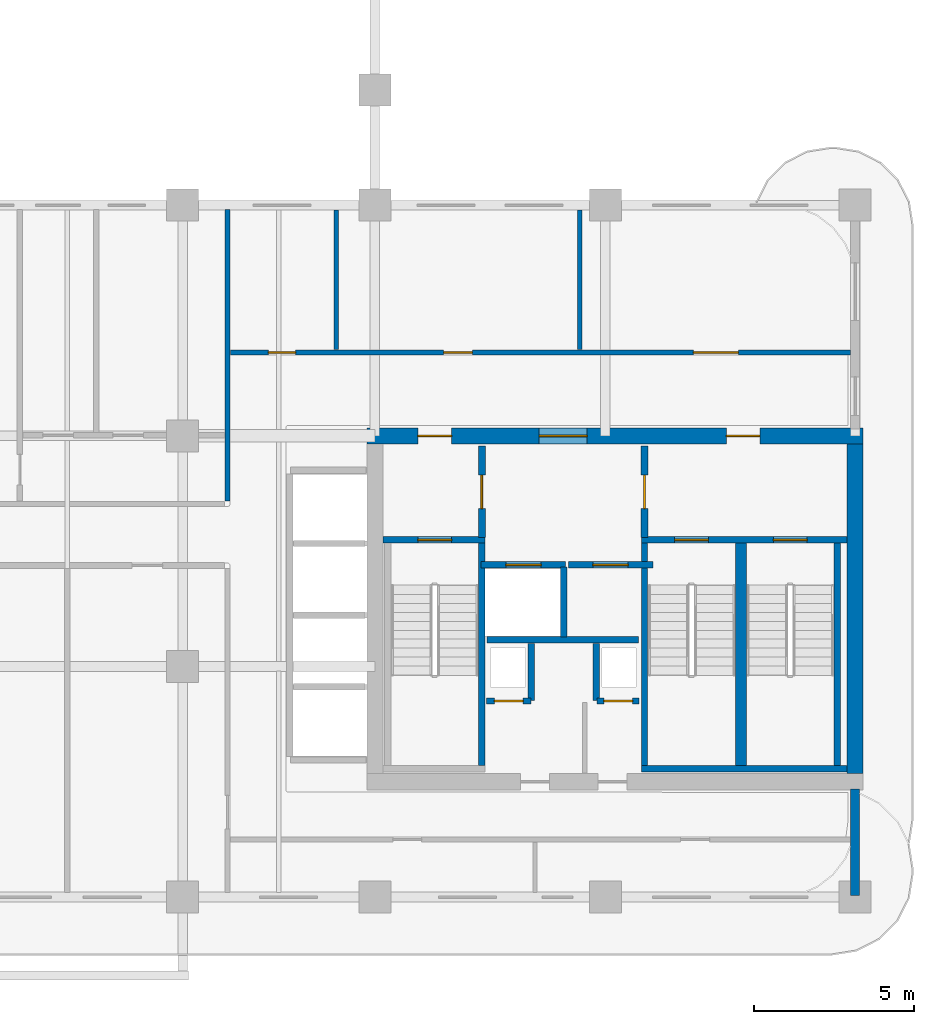
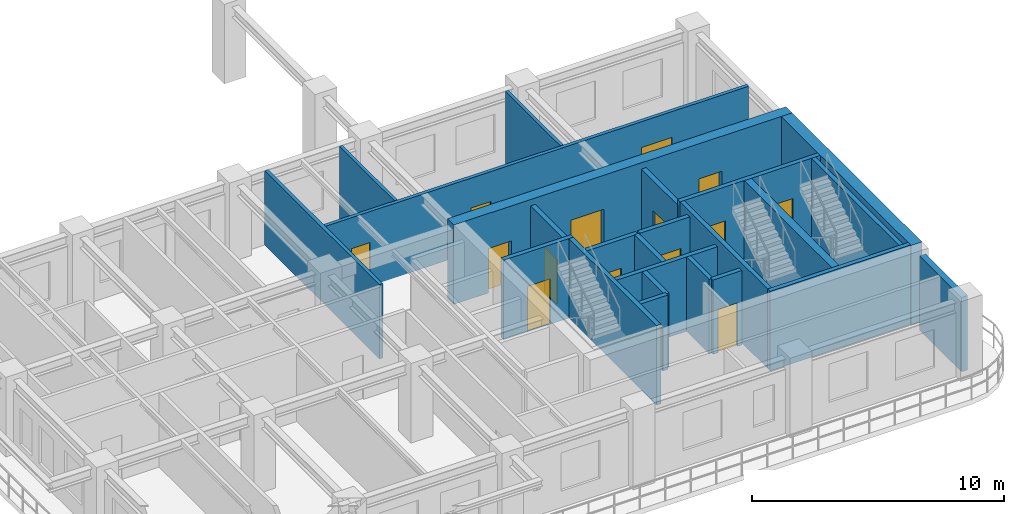
# One storey, part 6 of 13: 24 walls, 15 doors, 15 openings.
"""IFC4 building model written with IfcOpenShell, lengths in metres."""

from ifc_helpers import new_model, si_unit, derived_unit, direction, frame, frame_2d, origin, place, context, subcontext, project, spatial, rectangle, extrude, source, transform, mapped, material, layer, layer_set, type_object, type_shapes, element, fill, save


model = new_model("IFC4")

# Units and contexts
model_context = context("Model", 3, precision=1e-05, world=origin(), true_north=direction((0.0, 1.0)))
body_context = subcontext(model_context, "Body", "Model", "MODEL_VIEW")
ifc_project = project(units=[si_unit("LENGTHUNIT", "METRE"), si_unit("AREAUNIT", "SQUARE_METRE"), si_unit("VOLUMEUNIT", "CUBIC_METRE"), si_unit("PLANEANGLEUNIT", "RADIAN"), si_unit("MASSUNIT", "GRAM", prefix="KILO"), si_unit("THERMODYNAMICTEMPERATUREUNIT", "KELVIN"), si_unit("POWERUNIT", "WATT"), derived_unit("THERMALTRANSMITTANCEUNIT", [(si_unit("POWERUNIT", "WATT"), 1), (si_unit("AREAUNIT", "SQUARE_METRE"), -1), (si_unit("THERMODYNAMICTEMPERATUREUNIT", "KELVIN"), -1)])], contexts=[model_context])

# Site, building, storey
site_placement = place(None, origin())
site = spatial("IfcSite", under=ifc_project, at=site_placement, CompositionType="ELEMENT")
building_placement = place(site_placement, origin())
building = spatial("IfcBuilding", under=site, at=building_placement, Name="Zahravan Archway Hotel and Residences", CompositionType="ELEMENT")
storey_placement = place(building_placement, frame((0.0, 0.0, 181.10009765625)))
storey = spatial("IfcBuildingStorey", under=building, at=storey_placement, Name="L45", CompositionType="ELEMENT", Elevation=181.10009765625)

# Wall, openings, doors
ifc_material_1 = material(Name="Concrete C60/75", Category="concrete")
ifc_layer_1 = layer(ifc_material_1, 0.5, Name="Concrete C60/75", Category="concrete")
ifc_layer_set_1 = layer_set([ifc_layer_1], Name="Concrete C60/75")
wall_type_1 = type_object("IfcWallType", Name="CW-CORE-500", PredefinedType="SHEAR", material=ifc_layer_set_1)
wall_1_placement = place(storey_placement, frame((34.550048828125, 14.39990234375, 0.0), z_axis=(0.0, 0.0, 1.0), x_axis=(1.0, 0.0, 0.0)))
wall_1 = element("IfcWall", 1, at=wall_1_placement, inside=storey, type_object=wall_type_1, Name="L45 Core A Shear N Wall 500 mm", PredefinedType="SHEAR", context=body_context, shape_type="SweptSolid", body=[
    extrude(rectangle(XDim=15.5, YDim=0.5, at=frame_2d((7.75, 0.0))), origin(), (0.0, 0.0, 1.0), 3.849853515625),
])
opening_1_placement = place(wall_1_placement, frame((5.3798828125, 0.0, 0.0)))
opening_1 = element("IfcOpeningElement", 2, at=opening_1_placement, cuts=wall_1, Name="Opening FD-L1", PredefinedType="OPENING", context=body_context, shape_type="SweptSolid", body=[
    extrude(rectangle(XDim=1.5, YDim=2.199951171875, at=frame_2d((0.75, 1.10009765625))), frame((0.0, 0.260009765625, 0.0), z_axis=(0.0, -1.0, 0.0), x_axis=(1.0, 0.0, 0.0)), (0.0, 0.0, 1.0), 0.52001953125),
])
opening_2_placement = place(wall_1_placement, frame((1.594970703125, 0.0, 0.0)))
opening_2 = element("IfcOpeningElement", 3, at=opening_2_placement, cuts=wall_1, Name="Opening FD-L2", PredefinedType="OPENING", context=body_context, shape_type="SweptSolid", body=[
    extrude(rectangle(XDim=1.050048828125, YDim=2.14990234375, at=frame_2d((0.52490234375, 1.074951171875))), frame((0.0, 0.260009765625, 0.0), z_axis=(0.0, -1.0, 0.0), x_axis=(1.0, 0.0, 0.0)), (0.0, 0.0, 1.0), 0.52001953125),
])
opening_3_placement = place(wall_1_placement, frame((11.22509765625, 0.0, 0.0)))
opening_3 = element("IfcOpeningElement", 4, at=opening_3_placement, cuts=wall_1, Name="Opening FD-L2", PredefinedType="OPENING", context=body_context, shape_type="SweptSolid", body=[
    extrude(rectangle(XDim=1.050048828125, YDim=2.14990234375, at=frame_2d((0.52490234375, 1.074951171875))), frame((0.0, 0.260009765625, 0.0), z_axis=(0.0, -1.0, 0.0), x_axis=(1.0, 0.0, 0.0)), (0.0, 0.0, 1.0), 0.52001953125),
])
ifc_material_2 = material(Name="Fire-Rated Painted Steel", Category="steel")
door_type_1 = type_object("IfcDoorType", Name="FD-LOBBY-1100", OperationType="NOTDEFINED", PredefinedType="DOOR", material=ifc_material_2)
shared_shape_1 = source(origin(), body_context, "Body", "SweptSolid", [
    extrude(rectangle(XDim=1.050048828125, YDim=2.14990234375, at=frame_2d((0.52490234375, 1.074951171875))), frame((0.0, 0.02490234375, 0.0), z_axis=(0.0, -1.0, 0.0), x_axis=(1.0, 0.0, 0.0)), (0.0, 0.0, 1.0), 0.050048828125),
])
type_shapes(door_type_1, [shared_shape_1])
door_1_placement = place(opening_2_placement, origin())
door_1 = element("IfcDoor", 5, at=door_1_placement, inside=storey, type_object=door_type_1, Name="L45 Core A West Stair Lobby Door", OperationType="SINGLE_SWING_RIGHT", OverallHeight=2.14990234375, OverallWidth=1.050048828125, PredefinedType="DOOR", context=body_context, shape_type="MappedRepresentation", body=[
    mapped(shared_shape_1, transform((0.0, 0.0, 0.0), scale=1.0)),
])
fill(opening_2, door_1)
door_2_placement = place(opening_3_placement, origin())
door_2 = element("IfcDoor", 6, at=door_2_placement, inside=storey, type_object=door_type_1, Name="L45 Core A East Stair Lobby Door", OperationType="SINGLE_SWING_LEFT", OverallHeight=2.14990234375, OverallWidth=1.050048828125, PredefinedType="DOOR", context=body_context, shape_type="MappedRepresentation", body=[
    mapped(shared_shape_1, transform((0.0, 0.0, 0.0), scale=1.0)),
])
fill(opening_3, door_2)
door_type_2 = type_object("IfcDoorType", Name="FD-LOBBY-1500", OperationType="DOUBLE_DOOR_SINGLE_SWING", PredefinedType="DOOR", material=ifc_material_2)
shared_shape_2 = source(origin(), body_context, "Body", "SweptSolid", [
    extrude(rectangle(XDim=1.5, YDim=2.199951171875, at=frame_2d((0.75, 1.10009765625))), frame((0.0, 0.02490234375, 0.0), z_axis=(0.0, -1.0, 0.0), x_axis=(1.0, 0.0, 0.0)), (0.0, 0.0, 1.0), 0.050048828125),
])
type_shapes(door_type_2, [shared_shape_2])
door_3_placement = place(opening_1_placement, origin())
door_3 = element("IfcDoor", 7, at=door_3_placement, inside=storey, type_object=door_type_2, Name="L45 Core A FSAE Lobby Main Door", OperationType="DOUBLE_DOOR_SINGLE_SWING", OverallHeight=2.199951171875, OverallWidth=1.5, PredefinedType="DOOR", context=body_context, shape_type="MappedRepresentation", body=[
    mapped(shared_shape_2, transform((0.0, 0.0, 0.0), scale=1.0)),
])
fill(opening_1, door_3)

# Walls
wall_2_placement = place(storey_placement, frame((49.800048828125, 3.85009765625, 0.0), z_axis=(0.0, 0.0, 1.0), x_axis=(0.0, 1.0, 0.0)))
element("IfcWall", 8, at=wall_2_placement, inside=storey, type_object=wall_type_1, Name="L45 Core A Shear E Wall 500 mm", PredefinedType="SHEAR", context=body_context, shape_type="SweptSolid", body=[
    extrude(rectangle(XDim=10.2998046875, YDim=0.5, at=frame_2d((5.14990234375, 0.0))), origin(), (0.0, 0.0, 1.0), 3.849853515625),
])
ifc_material_3 = material(Name="Honed Red-Ochre Sandstone & Insulated Block", Category="masonry")
ifc_layer_2 = layer(ifc_material_3, 0.280029296875, Name="Honed Red-Ochre Sandstone & Insulated Block", Category="masonry")
ifc_layer_set_2 = layer_set([ifc_layer_2], Name="Honed Red-Ochre Sandstone & Insulated Block")
wall_type_2 = type_object("IfcWallType", Name="EW-LOG-280", PredefinedType="SOLIDWALL", material=ifc_layer_set_2)
wall_3_placement = place(storey_placement, frame((49.800048828125, 0.050048828125, 0.0), z_axis=(0.0, 0.0, 1.0), x_axis=(0.0, 1.0, 0.0)))
element("IfcWall", 9, at=wall_3_placement, inside=storey, type_object=wall_type_2, Name="L45 Exterior Sandstone Wall WA-ES", PredefinedType="SOLIDWALL", context=body_context, shape_type="SweptSolid", body=[
    extrude(rectangle(XDim=3.329833984375, YDim=0.280029296875, at=frame_2d((1.6650390625, 0.0))), origin(), (0.0, 0.0, 1.0), 3.599853515625),
])

# Wall, opening, door
ifc_material_4 = material(Name="Fire-Rated Gypsum & Concrete Block", Category="concrete")
ifc_layer_3 = layer(ifc_material_4, 0.219970703125, Name="Fire-Rated Gypsum & Concrete Block", Category="concrete")
ifc_layer_set_3 = layer_set([ifc_layer_3], Name="Fire-Rated Gypsum & Concrete Block")
wall_type_3 = type_object("IfcWallType", Name="PW-COMP-220", PredefinedType="PARTITIONING", material=ifc_layer_set_3)
wall_4_placement = place(storey_placement, frame((38.139892578125, 11.219970703125, 0.0), z_axis=(0.0, 0.0, 1.0), x_axis=(0.0, 1.0, 0.0)))
wall_4 = element("IfcWall", 10, at=wall_4_placement, inside=storey, type_object=wall_type_3, Name="L45 Partition CA-LOBW", PredefinedType="PARTITIONING", context=body_context, shape_type="SweptSolid", body=[
    extrude(rectangle(XDim=2.860107421875, YDim=0.219970703125, at=frame_2d((1.43017578125, 0.0))), origin(), (0.0, 0.0, 1.0), 3.599853515625),
])
opening_4_placement = place(wall_4_placement, frame((0.905029296875, 0.0, 0.0)))
opening_4 = element("IfcOpeningElement", 11, at=opening_4_placement, cuts=wall_4, Name="Opening FD-L2", PredefinedType="OPENING", context=body_context, shape_type="SweptSolid", body=[
    extrude(rectangle(XDim=1.050048828125, YDim=2.14990234375, at=frame_2d((0.52490234375, 1.074951171875))), frame((0.0, 0.1201171875, 0.0), z_axis=(0.0, -1.0, 0.0), x_axis=(1.0, 0.0, 0.0)), (0.0, 0.0, 1.0), 0.239990234375),
])
door_4_placement = place(opening_4_placement, origin())
door_4 = element("IfcDoor", 12, at=door_4_placement, inside=storey, type_object=door_type_1, Name="L45 Core A West Stair to FSAE Lobby Door", OperationType="SINGLE_SWING_RIGHT", OverallHeight=2.14990234375, OverallWidth=1.050048828125, PredefinedType="DOOR", context=body_context, shape_type="MappedRepresentation", body=[
    mapped(shared_shape_1, transform((0.0, 0.0, 0.0), scale=1.0)),
])
fill(opening_4, door_4)

wall_5_placement = place(storey_placement, frame((43.219970703125, 11.219970703125, 0.0), z_axis=(0.0, 0.0, 1.0), x_axis=(0.0, 1.0, 0.0)))
wall_5 = element("IfcWall", 13, at=wall_5_placement, inside=storey, type_object=wall_type_3, Name="L45 Partition CA-LOBE", PredefinedType="PARTITIONING", context=body_context, shape_type="SweptSolid", body=[
    extrude(rectangle(XDim=2.860107421875, YDim=0.219970703125, at=frame_2d((1.43017578125, 0.0))), origin(), (0.0, 0.0, 1.0), 3.599853515625),
])
opening_5_placement = place(wall_5_placement, frame((0.905029296875, 0.0, 0.0)))
opening_5 = element("IfcOpeningElement", 14, at=opening_5_placement, cuts=wall_5, Name="Opening FD-L2", PredefinedType="OPENING", context=body_context, shape_type="SweptSolid", body=[
    extrude(rectangle(XDim=1.050048828125, YDim=2.14990234375, at=frame_2d((0.52490234375, 1.074951171875))), frame((0.0, 0.1201171875, 0.0), z_axis=(0.0, -1.0, 0.0), x_axis=(1.0, 0.0, 0.0)), (0.0, 0.0, 1.0), 0.239990234375),
])
door_5_placement = place(opening_5_placement, origin())
door_5 = element("IfcDoor", 15, at=door_5_placement, inside=storey, type_object=door_type_1, Name="L45 Core A East Stair to FSAE Lobby Door", OperationType="SINGLE_SWING_LEFT", OverallHeight=2.14990234375, OverallWidth=1.050048828125, PredefinedType="DOOR", context=body_context, shape_type="MappedRepresentation", body=[
    mapped(shared_shape_1, transform((0.0, 0.0, 0.0), scale=1.0)),
])
fill(opening_5, door_5)

# Wall
ifc_layer_4 = layer(ifc_material_4, 0.159912109375, Name="Fire-Rated Gypsum & Concrete Block", Category="concrete")
ifc_layer_set_4 = layer_set([ifc_layer_4], Name="Fire-Rated Gypsum & Concrete Block")
wall_type_4 = type_object("IfcWallType", Name="PW-CORR-160", PredefinedType="PARTITIONING", material=ifc_layer_set_4)
wall_6_placement = place(storey_placement, frame((30.199951171875, 12.360107421875, 0.0), z_axis=(0.0, 0.0, 1.0), x_axis=(0.0, 1.0, 0.0)))
element("IfcWall", 16, at=wall_6_placement, inside=storey, type_object=wall_type_4, Name="L45 Partition WA-FW", PredefinedType="PARTITIONING", context=body_context, shape_type="SweptSolid", body=[
    extrude(rectangle(XDim=9.099853515625, YDim=0.159912109375, at=frame_2d((4.5498046875, 0.0))), origin(), (0.0, 0.0, 1.0), 3.599853515625),
])

# Wall, openings, doors
wall_7_placement = place(storey_placement, frame((30.2900390625, 17.0, 0.0), z_axis=(0.0, 0.0, 1.0), x_axis=(1.0, 0.0, 0.0)))
wall_7 = element("IfcWall", 17, at=wall_7_placement, inside=storey, type_object=wall_type_4, Name="L45 Partition WA-FN", PredefinedType="PARTITIONING", context=body_context, shape_type="SweptSolid", body=[
    extrude(rectangle(XDim=19.369873046875, YDim=0.159912109375, at=frame_2d((9.68505859375, 0.0))), origin(), (0.0, 0.0, 1.0), 3.599853515625),
])
opening_6_placement = place(wall_7_placement, frame((1.18505859375, 0.0, 0.0)))
opening_6 = element("IfcOpeningElement", 18, at=opening_6_placement, cuts=wall_7, Name="Opening D-B1", PredefinedType="OPENING", context=body_context, shape_type="SweptSolid", body=[
    extrude(rectangle(XDim=0.85009765625, YDim=2.10009765625, at=frame_2d((0.425048828125, 1.050048828125))), frame((0.0, 0.08984375, 0.0), z_axis=(0.0, -1.0, 0.0), x_axis=(1.0, 0.0, 0.0)), (0.0, 0.0, 1.0), 0.179931640625),
])
opening_7_placement = place(wall_7_placement, frame((6.659912109375, 0.0, 0.0)))
opening_7 = element("IfcOpeningElement", 19, at=opening_7_placement, cuts=wall_7, Name="Opening D-I2", PredefinedType="OPENING", context=body_context, shape_type="SweptSolid", body=[
    extrude(rectangle(XDim=0.89990234375, YDim=2.14990234375, at=frame_2d((0.449951171875, 1.074951171875))), frame((0.0, 0.08984375, 0.0), z_axis=(0.0, -1.0, 0.0), x_axis=(1.0, 0.0, 0.0)), (0.0, 0.0, 1.0), 0.179931640625),
])
opening_8_placement = place(wall_7_placement, frame((14.4599609375, 0.0, 0.0)))
opening_8 = element("IfcOpeningElement", 20, at=opening_8_placement, cuts=wall_7, Name="Opening D-P1", PredefinedType="OPENING", context=body_context, shape_type="SweptSolid", body=[
    extrude(rectangle(XDim=1.39990234375, YDim=2.35009765625, at=frame_2d((0.699951171875, 1.175048828125))), frame((0.0, 0.08984375, 0.0), z_axis=(0.0, -1.0, 0.0), x_axis=(1.0, 0.0, 0.0)), (0.0, 0.0, 1.0), 0.179931640625),
])
ifc_material_5 = material(Name="Hardwood Veneer Timber", Category="wood")
door_type_3 = type_object("IfcDoorType", Name="ID-BATH-850", OperationType="NOTDEFINED", PredefinedType="DOOR", material=ifc_material_5)
shared_shape_3 = source(origin(), body_context, "Body", "SweptSolid", [
    extrude(rectangle(XDim=0.85009765625, YDim=2.10009765625, at=frame_2d((0.425048828125, 1.050048828125))), frame((0.0, 0.02490234375, 0.0), z_axis=(0.0, -1.0, 0.0), x_axis=(1.0, 0.0, 0.0)), (0.0, 0.0, 1.0), 0.050048828125),
])
type_shapes(door_type_3, [shared_shape_3])
door_6_placement = place(opening_6_placement, origin())
door_6 = element("IfcDoor", 21, at=door_6_placement, inside=storey, type_object=door_type_3, Name="L45 Accessible Floor Restroom Door", OperationType="SINGLE_SWING_RIGHT", OverallHeight=2.10009765625, OverallWidth=0.85009765625, PredefinedType="DOOR", context=body_context, shape_type="MappedRepresentation", body=[
    mapped(shared_shape_3, transform((0.0, 0.0, 0.0), scale=1.0)),
])
fill(opening_6, door_6)
ifc_material_6 = material(Name="Bronze-Anodized Glazed Aluminium", Category="aluminium")
door_type_4 = type_object("IfcDoorType", Name="ID-PUBLIC-1400", OperationType="DOUBLE_DOOR_SINGLE_SWING", PredefinedType="DOOR", material=ifc_material_6)
shared_shape_4 = source(origin(), body_context, "Body", "SweptSolid", [
    extrude(rectangle(XDim=1.39990234375, YDim=2.35009765625, at=frame_2d((0.699951171875, 1.175048828125))), frame((0.0, 0.02490234375, 0.0), z_axis=(0.0, -1.0, 0.0), x_axis=(1.0, 0.0, 0.0)), (0.0, 0.0, 1.0), 0.050048828125),
])
type_shapes(door_type_4, [shared_shape_4])
door_7_placement = place(opening_8_placement, origin())
door_7 = element("IfcDoor", 22, at=door_7_placement, inside=storey, type_object=door_type_4, Name="L45 Co-Working Room Door", OperationType="DOUBLE_DOOR_SINGLE_SWING", OverallHeight=2.35009765625, OverallWidth=1.39990234375, PredefinedType="DOOR", context=body_context, shape_type="MappedRepresentation", body=[
    mapped(shared_shape_4, transform((0.0, 0.0, 0.0), scale=1.0)),
])
fill(opening_8, door_7)
door_type_5 = type_object("IfcDoorType", Name="ID-INT-900", OperationType="NOTDEFINED", PredefinedType="DOOR", material=ifc_material_5)
shared_shape_5 = source(origin(), body_context, "Body", "SweptSolid", [
    extrude(rectangle(XDim=0.89990234375, YDim=2.14990234375, at=frame_2d((0.449951171875, 1.074951171875))), frame((0.0, 0.02490234375, 0.0), z_axis=(0.0, -1.0, 0.0), x_axis=(1.0, 0.0, 0.0)), (0.0, 0.0, 1.0), 0.050048828125),
])
type_shapes(door_type_5, [shared_shape_5])
door_8_placement = place(opening_7_placement, origin())
door_8 = element("IfcDoor", 23, at=door_8_placement, inside=storey, type_object=door_type_5, Name="L45 Tea Servery Door", OperationType="SINGLE_SWING_LEFT", OverallHeight=2.14990234375, OverallWidth=0.89990234375, PredefinedType="DOOR", context=body_context, shape_type="MappedRepresentation", body=[
    mapped(shared_shape_5, transform((0.0, 0.0, 0.0), scale=1.0)),
])
fill(opening_7, door_8)

# Walls
ifc_layer_5 = layer(ifc_material_4, 0.199951171875, Name="Fire-Rated Gypsum & Concrete Block", Category="concrete")
ifc_layer_set_5 = layer_set([ifc_layer_5], Name="Fire-Rated Gypsum & Concrete Block")
wall_type_5 = type_object("IfcWallType", Name="PW-SHAFT-200", PredefinedType="PARTITIONING", material=ifc_layer_set_5)
wall_8_placement = place(storey_placement, frame((38.300048828125, 8.030029296875, 0.0), z_axis=(0.0, 0.0, 1.0), x_axis=(1.0, 0.0, 0.0)))
element("IfcWall", 24, at=wall_8_placement, inside=storey, type_object=wall_type_5, Name="L45 Partition CA-FLS", PredefinedType="PARTITIONING", context=body_context, shape_type="SweptSolid", body=[
    extrude(rectangle(XDim=4.739990234375, YDim=0.199951171875, at=frame_2d((2.3701171875, 0.0))), origin(), (0.0, 0.0, 1.0), 3.599853515625),
])
wall_9_placement = place(storey_placement, frame((40.699951171875, 8.1201171875, 0.0), z_axis=(0.0, 0.0, 1.0), x_axis=(0.0, 1.0, 0.0)))
element("IfcWall", 25, at=wall_9_placement, inside=storey, type_object=wall_type_5, Name="L45 Partition CA-FLM", PredefinedType="PARTITIONING", context=body_context, shape_type="SweptSolid", body=[
    extrude(rectangle(XDim=2.179931640625, YDim=0.199951171875, at=frame_2d((1.08984375, 0.0))), origin(), (0.0, 0.0, 1.0), 3.599853515625),
])

# Wall, opening, door
wall_10_placement = place(storey_placement, frame((38.2900390625, 6.1201171875, 0.0), z_axis=(0.0, 0.0, 1.0), x_axis=(1.0, 0.0, 0.0)))
wall_10 = element("IfcWall", 26, at=wall_10_placement, inside=storey, type_object=wall_type_5, Name="L45 Partition CA-SMKS", PredefinedType="PARTITIONING", context=body_context, shape_type="SweptSolid", body=[
    extrude(rectangle(XDim=1.3798828125, YDim=0.199951171875, at=frame_2d((0.68994140625, 0.0))), origin(), (0.0, 0.0, 1.0), 3.599853515625),
])
opening_9_placement = place(wall_10_placement, frame((0.239990234375, 0.0, 0.0)))
opening_9 = element("IfcOpeningElement", 27, at=opening_9_placement, cuts=wall_10, Name="Opening FD-R1", PredefinedType="OPENING", context=body_context, shape_type="SweptSolid", body=[
    extrude(rectangle(XDim=0.89990234375, YDim=2.10009765625, at=frame_2d((0.449951171875, 1.050048828125))), frame((0.0, 0.10986328125, 0.0), z_axis=(0.0, -1.0, 0.0), x_axis=(1.0, 0.0, 0.0)), (0.0, 0.0, 1.0), 0.219970703125),
])
door_type_6 = type_object("IfcDoorType", Name="FD-RISER-900", OperationType="NOTDEFINED", PredefinedType="DOOR", material=ifc_material_2)
shared_shape_6 = source(origin(), body_context, "Body", "SweptSolid", [
    extrude(rectangle(XDim=0.89990234375, YDim=2.10009765625, at=frame_2d((0.449951171875, 1.050048828125))), frame((0.0, 0.02490234375, 0.0), z_axis=(0.0, -1.0, 0.0), x_axis=(1.0, 0.0, 0.0)), (0.0, 0.0, 1.0), 0.050048828125),
])
type_shapes(door_type_6, [shared_shape_6])
door_9_placement = place(opening_9_placement, origin())
door_9 = element("IfcDoor", 28, at=door_9_placement, inside=storey, type_object=door_type_6, Name="L45 Smoke Riser Access Door", OperationType="SINGLE_SWING_RIGHT", OverallHeight=2.10009765625, OverallWidth=0.89990234375, PredefinedType="DOOR", context=body_context, shape_type="MappedRepresentation", body=[
    mapped(shared_shape_6, transform((0.0, 0.0, 0.0), scale=1.0)),
])
fill(opening_9, door_9)

# Wall
wall_11_placement = place(storey_placement, frame((39.679931640625, 6.1298828125, 0.0), z_axis=(0.0, 0.0, 1.0), x_axis=(0.0, 1.0, 0.0)))
element("IfcWall", 29, at=wall_11_placement, inside=storey, type_object=wall_type_5, Name="L45 Partition CA-SMKE", PredefinedType="PARTITIONING", context=body_context, shape_type="SweptSolid", body=[
    extrude(rectangle(XDim=1.7900390625, YDim=0.199951171875, at=frame_2d((0.89501953125, 0.0))), origin(), (0.0, 0.0, 1.0), 3.599853515625),
])

# Wall, opening, door
wall_12_placement = place(storey_placement, frame((41.72998046875, 6.1201171875, 0.0), z_axis=(0.0, 0.0, 1.0), x_axis=(1.0, 0.0, 0.0)))
wall_12 = element("IfcWall", 30, at=wall_12_placement, inside=storey, type_object=wall_type_5, Name="L45 Partition CA-MEPS", PredefinedType="PARTITIONING", context=body_context, shape_type="SweptSolid", body=[
    extrude(rectangle(XDim=1.320068359375, YDim=0.199951171875, at=frame_2d((0.66015625, 0.0))), origin(), (0.0, 0.0, 1.0), 3.599853515625),
])
opening_10_placement = place(wall_12_placement, frame((0.219970703125, 0.0, 0.0)))
opening_10 = element("IfcOpeningElement", 31, at=opening_10_placement, cuts=wall_12, Name="Opening FD-R1", PredefinedType="OPENING", context=body_context, shape_type="SweptSolid", body=[
    extrude(rectangle(XDim=0.89990234375, YDim=2.10009765625, at=frame_2d((0.449951171875, 1.050048828125))), frame((0.0, 0.10986328125, 0.0), z_axis=(0.0, -1.0, 0.0), x_axis=(1.0, 0.0, 0.0)), (0.0, 0.0, 1.0), 0.219970703125),
])
door_10_placement = place(opening_10_placement, origin())
door_10 = element("IfcDoor", 32, at=door_10_placement, inside=storey, type_object=door_type_6, Name="L45 MEP Riser Access Door", OperationType="SINGLE_SWING_LEFT", OverallHeight=2.10009765625, OverallWidth=0.89990234375, PredefinedType="DOOR", context=body_context, shape_type="MappedRepresentation", body=[
    mapped(shared_shape_6, transform((0.0, 0.0, 0.0), scale=1.0)),
])
fill(opening_10, door_10)

# Wall
wall_13_placement = place(storey_placement, frame((41.719970703125, 6.1298828125, 0.0), z_axis=(0.0, 0.0, 1.0), x_axis=(0.0, 1.0, 0.0)))
element("IfcWall", 33, at=wall_13_placement, inside=storey, type_object=wall_type_5, Name="L45 Partition CA-MEPW", PredefinedType="PARTITIONING", context=body_context, shape_type="SweptSolid", body=[
    extrude(rectangle(XDim=1.7900390625, YDim=0.199951171875, at=frame_2d((0.89501953125, 0.0))), origin(), (0.0, 0.0, 1.0), 3.599853515625),
])

# Wall, opening, door
wall_14_placement = place(storey_placement, frame((38.1201171875, 10.3701171875, 0.0), z_axis=(0.0, 0.0, 1.0), x_axis=(1.0, 0.0, 0.0)))
wall_14 = element("IfcWall", 34, at=wall_14_placement, inside=storey, type_object=wall_type_5, Name="L45 Lift FL-1 Front Wall", PredefinedType="PARTITIONING", context=body_context, shape_type="SweptSolid", body=[
    extrude(rectangle(XDim=2.639892578125, YDim=0.199951171875, at=frame_2d((1.31982421875, 0.0))), origin(), (0.0, 0.0, 1.0), 3.599853515625),
])
opening_11_placement = place(wall_14_placement, frame((0.77001953125, 0.0, 0.0)))
opening_11 = element("IfcOpeningElement", 35, at=opening_11_placement, cuts=wall_14, Name="Opening LD", PredefinedType="OPENING", context=body_context, shape_type="SweptSolid", body=[
    extrude(rectangle(XDim=1.10009765625, YDim=2.199951171875, at=frame_2d((0.550048828125, 1.10009765625))), frame((0.0, 0.10986328125, 0.0), z_axis=(0.0, -1.0, 0.0), x_axis=(1.0, 0.0, 0.0)), (0.0, 0.0, 1.0), 0.219970703125),
])
ifc_material_7 = material(Name="Brushed Stainless Steel", Category="steel")
door_type_7 = type_object("IfcDoorType", Name="DR-LIFT-LD", OperationType="SLIDING_TO_LEFT", PredefinedType="DOOR", material=ifc_material_7)
shared_shape_7 = source(origin(), body_context, "Body", "SweptSolid", [
    extrude(rectangle(XDim=1.10009765625, YDim=2.199951171875, at=frame_2d((0.550048828125, 1.10009765625))), frame((0.0, 0.02490234375, 0.0), z_axis=(0.0, -1.0, 0.0), x_axis=(1.0, 0.0, 0.0)), (0.0, 0.0, 1.0), 0.050048828125),
])
type_shapes(door_type_7, [shared_shape_7])
door_11_placement = place(opening_11_placement, origin())
door_11 = element("IfcDoor", 36, at=door_11_placement, inside=storey, type_object=door_type_7, Name="L45 Lift FL-1 Sliding Landing Door", OperationType="SLIDING_TO_LEFT", OverallHeight=2.199951171875, OverallWidth=1.10009765625, PredefinedType="DOOR", context=body_context, shape_type="MappedRepresentation", body=[
    mapped(shared_shape_7, transform((0.0, 0.0, 0.0), scale=1.0)),
])
fill(opening_11, door_11)

wall_15_placement = place(storey_placement, frame((40.840087890625, 10.3701171875, 0.0), z_axis=(0.0, 0.0, 1.0), x_axis=(1.0, 0.0, 0.0)))
wall_15 = element("IfcWall", 37, at=wall_15_placement, inside=storey, type_object=wall_type_5, Name="L45 Lift FL-2 Front Wall", PredefinedType="PARTITIONING", context=body_context, shape_type="SweptSolid", body=[
    extrude(rectangle(XDim=2.639892578125, YDim=0.199951171875, at=frame_2d((1.31982421875, 0.0))), origin(), (0.0, 0.0, 1.0), 3.599853515625),
])
opening_12_placement = place(wall_15_placement, frame((0.77001953125, 0.0, 0.0)))
opening_12 = element("IfcOpeningElement", 38, at=opening_12_placement, cuts=wall_15, Name="Opening LD", PredefinedType="OPENING", context=body_context, shape_type="SweptSolid", body=[
    extrude(rectangle(XDim=1.10009765625, YDim=2.199951171875, at=frame_2d((0.550048828125, 1.10009765625))), frame((0.0, 0.10986328125, 0.0), z_axis=(0.0, -1.0, 0.0), x_axis=(1.0, 0.0, 0.0)), (0.0, 0.0, 1.0), 0.219970703125),
])
door_12_placement = place(opening_12_placement, origin())
door_12 = element("IfcDoor", 39, at=door_12_placement, inside=storey, type_object=door_type_7, Name="L45 Lift FL-2 Sliding Landing Door", OperationType="SLIDING_TO_LEFT", OverallHeight=2.199951171875, OverallWidth=1.10009765625, PredefinedType="DOOR", context=body_context, shape_type="MappedRepresentation", body=[
    mapped(shared_shape_7, transform((0.0, 0.0, 0.0), scale=1.0)),
])
fill(opening_12, door_12)

# Walls
ifc_material_8 = material(Name="Moisture-Resistant Blockwork", Category="masonry")
ifc_layer_6 = layer(ifc_material_8, 0.139892578125, Name="Moisture-Resistant Blockwork", Category="masonry")
ifc_layer_set_6 = layer_set([ifc_layer_6], Name="Moisture-Resistant Blockwork")
wall_type_6 = type_object("IfcWallType", Name="PW-WET-140", PredefinedType="PARTITIONING", material=ifc_layer_set_6)
for number, where, z_axis, x_axis, name in (
    (40, (33.60009765625, 17.090087890625, 0.0), (0.0, 0.0, 1.0), (0.0, 1.0, 0.0), "L45 Partition NE0-1"),
    (41, (41.199951171875, 17.090087890625, 0.0), (0.0, 0.0, 1.0), (0.0, 1.0, 0.0), "L45 Partition NE0-2"),
):
    element("IfcWall", number, at=place(storey_placement, frame(where, z_axis=z_axis, x_axis=x_axis)), inside=storey, type_object=wall_type_6, Name=name, PredefinedType="PARTITIONING", context=body_context, shape_type="SweptSolid", body=[
        extrude(rectangle(XDim=4.36181640625, YDim=0.139892578125, at=frame_2d((2.180908203125, 0.0))), origin(), (0.0, 0.0, 1.0), 3.599853515625),
    ])
ifc_material_9 = material(Name="Concrete C50/60", Category="concrete")
ifc_layer_7 = layer(ifc_material_9, 0.199951171875, Name="Concrete C50/60", Category="concrete")
ifc_layer_set_7 = layer_set([ifc_layer_7], Name="Concrete C50/60")
wall_type_7 = type_object("IfcWallType", Name="SW-STAIR-200", PredefinedType="SHEAR", material=ifc_layer_set_7)
wall_16_placement = place(storey_placement, frame((38.139892578125, 4.10009765625, 0.0), z_axis=(0.0, 0.0, 1.0), x_axis=(0.0, 1.0, 0.0)))
element("IfcWall", 42, at=wall_16_placement, inside=storey, type_object=wall_type_7, Name="L45 Stairwell RC Wall CA-SA1E", PredefinedType="SHEAR", context=body_context, shape_type="SweptSolid", body=[
    extrude(rectangle(XDim=6.949951171875, YDim=0.199951171875, at=frame_2d((3.47509765625, 0.0))), origin(), (0.0, 0.0, 1.0), 3.849853515625),
])

# Wall, opening, door
wall_17_placement = place(storey_placement, frame((35.050048828125, 11.14990234375, 0.0), z_axis=(0.0, 0.0, 1.0), x_axis=(1.0, 0.0, 0.0)))
wall_17 = element("IfcWall", 43, at=wall_17_placement, inside=storey, type_object=wall_type_7, Name="L45 Stairwell RC Wall CA-SA1N", PredefinedType="SHEAR", context=body_context, shape_type="SweptSolid", body=[
    extrude(rectangle(XDim=3.18994140625, YDim=0.199951171875, at=frame_2d((1.594970703125, 0.0))), origin(), (0.0, 0.0, 1.0), 3.849853515625),
])
opening_13_placement = place(wall_17_placement, frame((1.094970703125, 0.0, 0.0)))
opening_13 = element("IfcOpeningElement", 44, at=opening_13_placement, cuts=wall_17, Name="Opening FD-S1", PredefinedType="OPENING", context=body_context, shape_type="SweptSolid", body=[
    extrude(rectangle(XDim=1.050048828125, YDim=2.199951171875, at=frame_2d((0.52490234375, 1.10009765625))), frame((0.0, 0.10986328125, 0.0), z_axis=(0.0, -1.0, 0.0), x_axis=(1.0, 0.0, 0.0)), (0.0, 0.0, 1.0), 0.219970703125),
])
door_type_8 = type_object("IfcDoorType", Name="FD-STAIR-1100", OperationType="NOTDEFINED", PredefinedType="DOOR", material=ifc_material_2)
shared_shape_8 = source(origin(), body_context, "Body", "SweptSolid", [
    extrude(rectangle(XDim=1.050048828125, YDim=2.199951171875, at=frame_2d((0.52490234375, 1.10009765625))), frame((0.0, 0.02490234375, 0.0), z_axis=(0.0, -1.0, 0.0), x_axis=(1.0, 0.0, 0.0)), (0.0, 0.0, 1.0), 0.050048828125),
])
type_shapes(door_type_8, [shared_shape_8])
door_13_placement = place(opening_13_placement, origin())
door_13 = element("IfcDoor", 45, at=door_13_placement, inside=storey, type_object=door_type_8, Name="L45 Stair ST-A1 Door", OperationType="SINGLE_SWING_LEFT", OverallHeight=2.199951171875, OverallWidth=1.050048828125, PredefinedType="DOOR", context=body_context, shape_type="MappedRepresentation", body=[
    mapped(shared_shape_8, transform((0.0, 0.0, 0.0), scale=1.0)),
])
fill(opening_13, door_13)

# Walls
wall_18_placement = place(storey_placement, frame((43.1201171875, 4.0, 0.0), z_axis=(0.0, 0.0, 1.0), x_axis=(1.0, 0.0, 0.0)))
element("IfcWall", 46, at=wall_18_placement, inside=storey, type_object=wall_type_7, Name="L45 Stairwell RC Wall CA-SA23S", PredefinedType="SHEAR", context=body_context, shape_type="SweptSolid", body=[
    extrude(rectangle(XDim=6.429931640625, YDim=0.199951171875, at=frame_2d((3.21484375, 0.0))), origin(), (0.0, 0.0, 1.0), 3.849853515625),
])
for number, where, z_axis, x_axis, name in (
    (47, (43.219970703125, 4.10009765625, 0.0), (0.0, 0.0, 1.0), (0.0, 1.0, 0.0), "L45 Stairwell RC Wall CA-SA2W"),
    (48, (49.239990234375, 4.10009765625, 0.0), (0.0, 0.0, 1.0), (0.0, 1.0, 0.0), "L45 Stairwell RC Wall CA-SA3E"),
):
    element("IfcWall", number, at=place(storey_placement, frame(where, z_axis=z_axis, x_axis=x_axis)), inside=storey, type_object=wall_type_7, Name=name, PredefinedType="SHEAR", context=body_context, shape_type="SweptSolid", body=[
        extrude(rectangle(XDim=6.949951171875, YDim=0.199951171875, at=frame_2d((3.47509765625, 0.0))), origin(), (0.0, 0.0, 1.0), 3.849853515625),
    ])

# Wall, openings, doors
wall_19_placement = place(storey_placement, frame((43.1201171875, 11.14990234375, 0.0), z_axis=(0.0, 0.0, 1.0), x_axis=(1.0, 0.0, 0.0)))
wall_19 = element("IfcWall", 49, at=wall_19_placement, inside=storey, type_object=wall_type_7, Name="L45 Stairwell RC Wall CA-SA23N", PredefinedType="SHEAR", context=body_context, shape_type="SweptSolid", body=[
    extrude(rectangle(XDim=6.429931640625, YDim=0.199951171875, at=frame_2d((3.21484375, 0.0))), origin(), (0.0, 0.0, 1.0), 3.849853515625),
])
opening_14_placement = place(wall_19_placement, frame((1.044921875, 0.0, 0.0)))
opening_14 = element("IfcOpeningElement", 50, at=opening_14_placement, cuts=wall_19, Name="Opening FD-S1", PredefinedType="OPENING", context=body_context, shape_type="SweptSolid", body=[
    extrude(rectangle(XDim=1.050048828125, YDim=2.199951171875, at=frame_2d((0.52490234375, 1.10009765625))), frame((0.0, 0.10986328125, 0.0), z_axis=(0.0, -1.0, 0.0), x_axis=(1.0, 0.0, 0.0)), (0.0, 0.0, 1.0), 0.219970703125),
])
opening_15_placement = place(wall_19_placement, frame((4.125, 0.0, 0.0)))
opening_15 = element("IfcOpeningElement", 51, at=opening_15_placement, cuts=wall_19, Name="Opening FD-S1", PredefinedType="OPENING", context=body_context, shape_type="SweptSolid", body=[
    extrude(rectangle(XDim=1.050048828125, YDim=2.199951171875, at=frame_2d((0.52490234375, 1.10009765625))), frame((0.0, 0.10986328125, 0.0), z_axis=(0.0, -1.0, 0.0), x_axis=(1.0, 0.0, 0.0)), (0.0, 0.0, 1.0), 0.219970703125),
])
door_14_placement = place(opening_14_placement, origin())
door_14 = element("IfcDoor", 52, at=door_14_placement, inside=storey, type_object=door_type_8, Name="L45 Stair ST-A2 Door", OperationType="SINGLE_SWING_RIGHT", OverallHeight=2.199951171875, OverallWidth=1.050048828125, PredefinedType="DOOR", context=body_context, shape_type="MappedRepresentation", body=[
    mapped(shared_shape_8, transform((0.0, 0.0, 0.0), scale=1.0)),
])
fill(opening_14, door_14)
door_15_placement = place(opening_15_placement, origin())
door_15 = element("IfcDoor", 53, at=door_15_placement, inside=storey, type_object=door_type_8, Name="L45 Stair ST-A3 Door", OperationType="SINGLE_SWING_LEFT", OverallHeight=2.199951171875, OverallWidth=1.050048828125, PredefinedType="DOOR", context=body_context, shape_type="MappedRepresentation", body=[
    mapped(shared_shape_8, transform((0.0, 0.0, 0.0), scale=1.0)),
])
fill(opening_15, door_15)

# Wall
ifc_layer_8 = layer(ifc_material_9, 0.340087890625, Name="Concrete C50/60", Category="concrete")
ifc_layer_set_8 = layer_set([ifc_layer_8], Name="Concrete C50/60")
wall_type_8 = type_object("IfcWallType", Name="SW-STAIR-340", PredefinedType="SHEAR", material=ifc_layer_set_8)
wall_20_placement = place(storey_placement, frame((46.22998046875, 4.10009765625, 0.0), z_axis=(0.0, 0.0, 1.0), x_axis=(0.0, 1.0, 0.0)))
element("IfcWall", 54, at=wall_20_placement, inside=storey, type_object=wall_type_8, Name="L45 Stairwell RC Wall CA-SA23M", PredefinedType="SHEAR", context=body_context, shape_type="SweptSolid", body=[
    extrude(rectangle(XDim=6.949951171875, YDim=0.340087890625, at=frame_2d((3.47509765625, 0.0))), origin(), (0.0, 0.0, 1.0), 3.849853515625),
])

save(model, "model.ifc")
